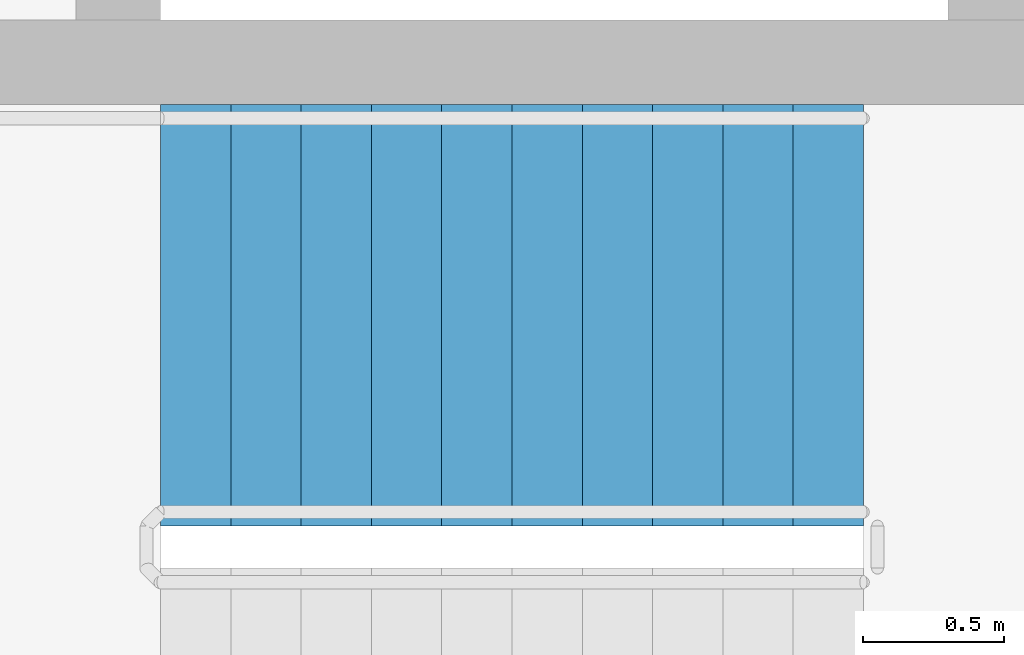
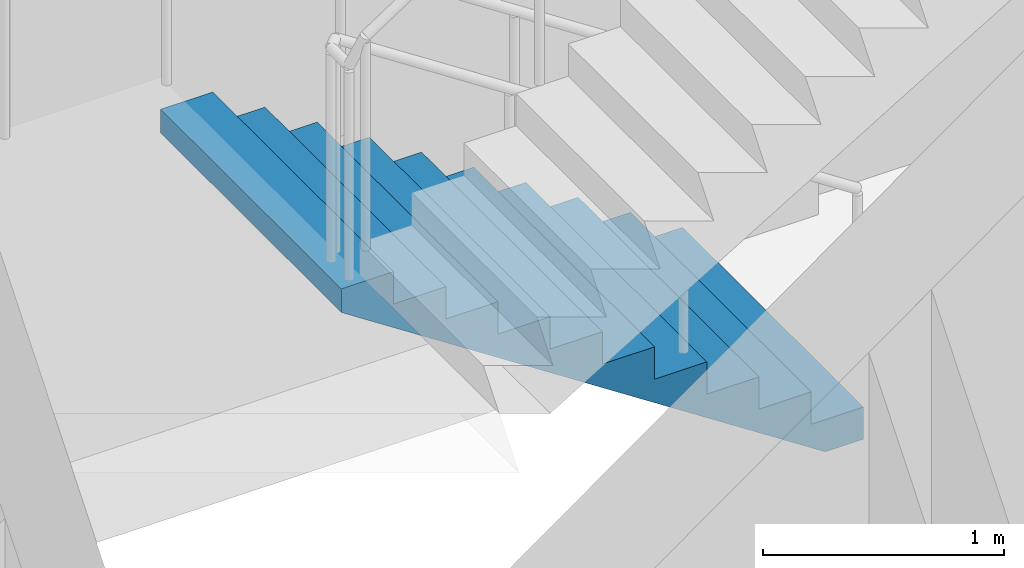
# One storey, part 11 of 12: 1 stair flight, 1 element without a shape of its own.
"""IFC4 building model written with IfcOpenShell, lengths in metres."""

from ifc_helpers import new_model, si_unit, direction, frame, origin, place, context, subcontext, project, spatial, polyline, outline, extrude, material, type_object, element, aggregate, save


model = new_model("IFC4")

# Units and contexts
model_context = context("Model", 3, precision=1e-05, world=origin(), true_north=direction((0.0, 1.0)))
body_context = subcontext(model_context, "Body", "Model", "MODEL_VIEW")
ifc_project = project(units=[si_unit("LENGTHUNIT", "METRE"), si_unit("AREAUNIT", "SQUARE_METRE"), si_unit("VOLUMEUNIT", "CUBIC_METRE"), si_unit("PLANEANGLEUNIT", "RADIAN"), si_unit("MASSUNIT", "GRAM", prefix="KILO")], contexts=[model_context])

# Site, building, storey
site_placement = place(None, origin())
site = spatial("IfcSite", under=ifc_project, at=site_placement, CompositionType="ELEMENT")
building_placement = place(site_placement, origin())
building = spatial("IfcBuilding", under=site, at=building_placement, Name="Tracery Tower", CompositionType="ELEMENT")
storey_placement = place(building_placement, frame((0.0, 0.0, 78.60009765625)))
storey = spatial("IfcBuildingStorey", under=building, at=storey_placement, Name="L19", CompositionType="ELEMENT", Elevation=78.60009765625)

# Stair, stair flight
ifc_material_1 = material(Name="Concrete C32/40", Category="concrete")
stair_type = type_object("IfcStairType", Name="Core stair 22 risers", PredefinedType="HALF_TURN_STAIR", material=ifc_material_1)
stair_placement = place(storey_placement, origin())
stair = element("IfcStair", 1, at=stair_placement, inside=storey, type_object=stair_type, Name="L19 stair ST3", PredefinedType="HALF_TURN_STAIR")
ifc_material_2 = material(Name="Concrete C32/40", Category="concrete")
stair_flight_type = type_object("IfcStairFlightType", Name="Core stair flight 11 risers", PredefinedType="STRAIGHT", material=ifc_material_2)
stair_flight_placement = place(storey_placement, frame((-4.800048828125, 5.64990234375, 0.0), z_axis=(0.0, 0.0, 1.0), x_axis=(-1.0, 0.0, 0.0)))
stair_flight = element("IfcStairFlight", 2, at=stair_flight_placement, type_object=stair_flight_type, Name="ST3 flight 1", NumberOfRisers=11, NumberOfTreads=10, PredefinedType="STRAIGHT", RiserHeight=0.163636364, TreadLength=0.25, context=body_context, shape_type="SweptSolid", body=[
    extrude(outline(polyline([(0.0, 0.0), (0.0, 0.002685546875), (0.0, 0.00537109375), (0.0, 0.008056640625), (0.0, 0.0107421875), (0.0, 0.013427734375), (0.0, 0.01611328125), (0.0, 0.018798828125), (0.0, 0.021484375), (0.0, 0.024169921875), (0.0, 0.02685546875), (0.0, 0.029541015625), (0.0, 0.0322265625), (0.0, 0.034912109375), (0.0, 0.03759765625), (0.0, 0.040283203125), (0.0, 0.04296875), (0.0, 0.045654296875), (0.0, 0.04833984375), (0.0, 0.051025390625), (0.0, 0.0537109375), (0.0, 0.056396484375), (0.0, 0.05908203125), (0.0, 0.061767578125), (0.0, 0.064453125), (0.0, 0.067138671875), (0.0, 0.06982421875), (0.0, 0.072509765625), (0.0, 0.0751953125), (0.0, 0.077880859375), (0.0, 0.08056640625), (0.0, 0.083251953125), (0.0, 0.0859375), (0.0, 0.088623046875), (0.0, 0.09130859375), (0.0, 0.093994140625), (0.0, 0.0966796875), (0.0, 0.099365234375), (0.0, 0.10205078125), (0.0, 0.104736328125), (0.0, 0.107421875), (0.0, 0.10986328125), (0.0, 0.112548828125), (0.0, 0.115234375), (0.0, 0.117919921875), (0.0, 0.12060546875), (0.0, 0.123291015625), (0.0, 0.1259765625), (0.0, 0.128662109375), (0.0, 0.13134765625), (0.0, 0.134033203125), (0.0, 0.13671875), (0.0, 0.139404296875), (0.0, 0.14208984375), (0.0, 0.144775390625), (0.0, 0.1474609375), (0.0, 0.150146484375), (0.0, 0.15283203125), (0.0, 0.155517578125), (0.0, 0.158203125), (0.0, 0.160888671875), (0.0, 0.16357421875), (0.25, 0.16357421875), (0.25, 0.327392578125), (0.5, 0.327392578125), (0.5, 0.490966796875), (0.75, 0.490966796875), (0.75, 0.654541015625), (1.0, 0.654541015625), (1.0, 0.818115234375), (1.25, 0.818115234375), (1.25, 0.98193359375), (1.5, 0.98193359375), (1.5, 1.1455078125), (1.75, 1.1455078125), (1.75, 1.30908203125), (2.0, 1.30908203125), (2.0, 1.47265625), (2.25, 1.47265625), (2.25, 1.636474609375), (2.5, 1.636474609375), (2.5, 1.634521484375), (2.5, 1.63232421875), (2.5, 1.63037109375), (2.5, 1.62841796875), (2.5, 1.62646484375), (2.5, 1.62451171875), (2.5, 1.62255859375), (2.5, 1.62060546875), (2.5, 1.61865234375), (2.5, 1.61669921875), (2.5, 1.61474609375), (2.5, 1.61279296875), (2.5, 1.61083984375), (2.5, 1.60888671875), (2.5, 1.60693359375), (2.5, 1.60498046875), (2.5, 1.60302734375), (2.5, 1.60107421875), (2.5, 1.59912109375), (2.5, 1.59716796875), (2.5, 1.59521484375), (2.5, 1.59326171875), (2.5, 1.59130859375), (2.5, 1.58935546875), (2.5, 1.58740234375), (2.5, 1.58544921875), (2.5, 1.58349609375), (2.5, 1.58154296875), (2.5, 1.57958984375), (2.5, 1.57763671875), (2.5, 1.57568359375), (2.5, 1.573486328125), (2.5, 1.571533203125), (2.5, 1.569580078125), (2.5, 1.567626953125), (2.5, 1.565673828125), (2.5, 1.563720703125), (2.5, 1.561767578125), (2.5, 1.559814453125), (2.5, 1.557861328125), (2.5, 1.555908203125), (2.5, 1.553955078125), (2.5, 1.552001953125), (2.5, 1.550048828125), (2.5, 1.548095703125), (2.5, 1.546142578125), (2.5, 1.544189453125), (2.5, 1.542236328125), (2.5, 1.540283203125), (2.5, 1.538330078125), (2.5, 1.536376953125), (2.5, 1.534423828125), (2.5, 1.532470703125), (2.5, 1.530517578125), (2.5, 1.528564453125), (2.5, 1.526611328125), (2.5, 1.524658203125), (2.5, 1.522705078125), (2.5, 1.520751953125), (2.5, 1.518798828125), (2.5, 1.516845703125), (0.182861328125, 0.0), (0.0, 0.0)])), frame((0.0, 0.75, 0.0), z_axis=(0.0, -1.0, 0.0), x_axis=(1.0, 0.0, 0.0)), (0.0, 0.0, 1.0), 1.5),
])
aggregate(stair, [stair_flight])

save(model, "model.ifc")
